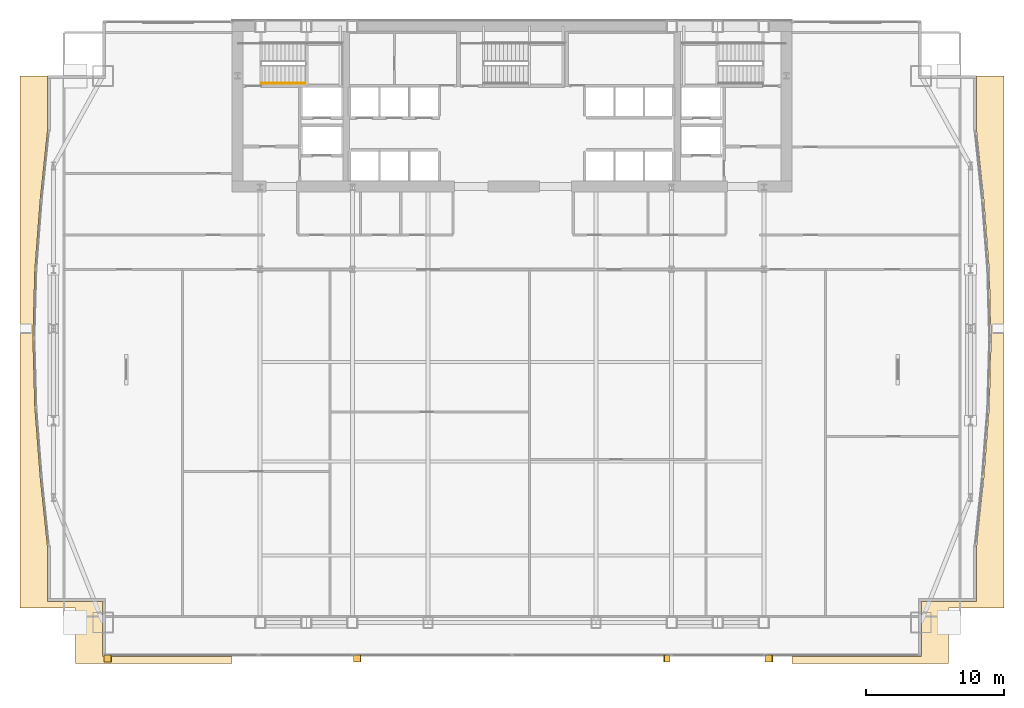
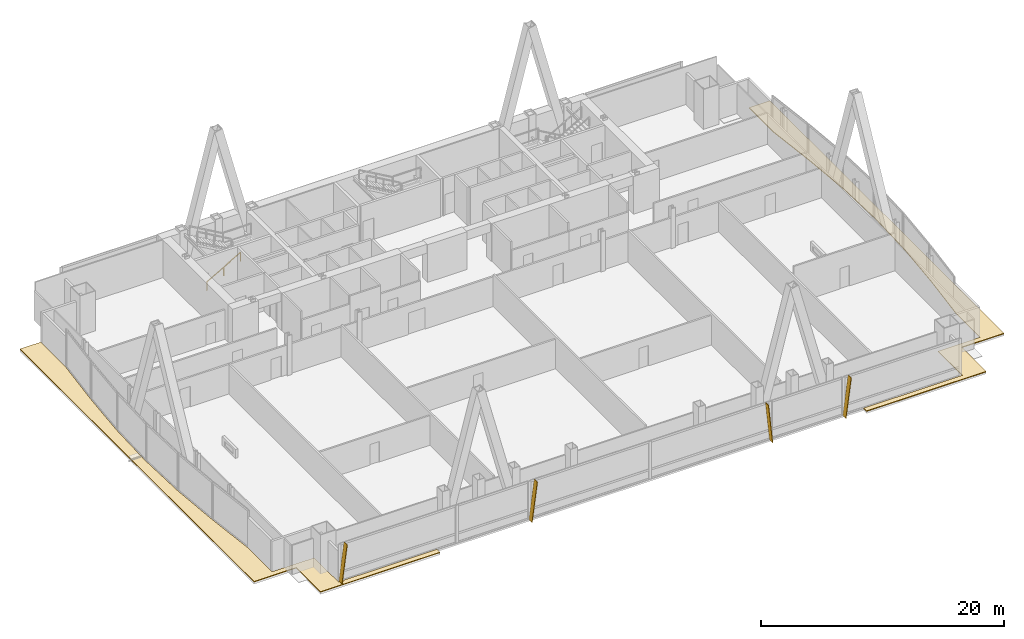
# One storey, part 31 of 32: 4 shading devices, 2 coverings, 1 railing.
"""IFC4 building model written with IfcOpenShell, lengths in metres."""

from ifc_helpers import new_model, si_unit, direction, frame, origin, origin_2d, place, context, subcontext, project, spatial, polyline, rectangle, outline, extrude, material, layer, layer_set, type_object, element, save


model = new_model("IFC4")

# Units and contexts
model_context = context("Model", 3, precision=1e-05, world=origin(), true_north=direction((0.0, 1.0)))
body_context = subcontext(model_context, "Body", "Model", "MODEL_VIEW")
ifc_project = project(units=[si_unit("LENGTHUNIT", "METRE"), si_unit("AREAUNIT", "SQUARE_METRE"), si_unit("VOLUMEUNIT", "CUBIC_METRE"), si_unit("PLANEANGLEUNIT", "RADIAN"), si_unit("MASSUNIT", "GRAM", prefix="KILO")], contexts=[model_context])

# Site, building, storey
site_placement = place(None, origin())
site = spatial("IfcSite", under=ifc_project, at=site_placement, CompositionType="ELEMENT")
building_placement = place(site_placement, origin())
building = spatial("IfcBuilding", under=site, at=building_placement, Name="Khoronbel Lancet Exchange", CompositionType="ELEMENT")
storey_placement = place(building_placement, frame((0.0, 0.0, 81.800048828125)))
storey = spatial("IfcBuildingStorey", under=building, at=storey_placement, Name="L19", CompositionType="ELEMENT", Elevation=81.800048828125)

# Coverings
ifc_material_1 = material(Name="Standing-Seam Bronze & SBS Waterproofing Assembly", Category="aluminium")
ifc_layer_1 = layer(ifc_material_1, 0.080078125, Name="Standing-Seam Bronze & SBS Waterproofing Assembly")
ifc_layer_set_1 = layer_set([ifc_layer_1], Name="Standing-Seam Bronze & SBS Waterproofing Assembly")
covering_type = type_object("IfcCoveringType", Name="COV-ROOF1", PredefinedType="ROOFING", material=ifc_layer_set_1)
covering_1_placement = place(storey_placement, origin())
element("IfcCovering", 1, at=covering_1_placement, inside=storey, type_object=covering_type, Name="Level L19 setback roof slab 1 insulated roofing assembly", PredefinedType="ROOFING", context=body_context, shape_type="SweptSolid", body=[
    extrude(outline(polyline([(4.85009765625, 7.199951171875), (4.85009765625, 11.199951171875), (0.85009765625, 11.199951171875), (0.85009765625, 15.199951171875), (0.85009765625, 45.699951171875), (0.85009765625, 49.699951171875), (2.830078125, 49.699951171875), (2.830078125, 45.700927734375), (2.30517578125, 40.7021484375), (2.30517578125, 40.701416015625), (1.9208984375, 35.701416015625), (1.920654296875, 35.70068359375), (1.780029296875, 30.70068359375), (1.780029296875, 30.699462890625), (1.920654296875, 25.699462890625), (1.9208984375, 25.698486328125), (2.30517578125, 20.698486328125), (2.30517578125, 20.697998046875), (2.830078125, 15.698974609375), (2.830078125, 11.699951171875), (2.830078125, 11.697998046875), (2.830322265625, 11.696044921875), (2.830810546875, 11.694091796875), (2.83154296875, 11.6923828125), (2.83251953125, 11.690673828125), (2.83349609375, 11.68896484375), (2.83447265625, 11.687255859375), (2.8359375, 11.685791015625), (2.83740234375, 11.6845703125), (2.8388671875, 11.683349609375), (2.840576171875, 11.682373046875), (2.84228515625, 11.681396484375), (2.84423828125, 11.680908203125), (2.84619140625, 11.680419921875), (2.847900390625, 11.68017578125), (2.85009765625, 11.679931640625), (6.830078125, 11.679931640625), (6.830078125, 7.699951171875), (6.830078125, 7.697998046875), (6.830322265625, 7.696044921875), (6.830810546875, 7.694091796875), (6.83154296875, 7.6923828125), (6.83251953125, 7.690673828125), (6.83349609375, 7.68896484375), (6.83447265625, 7.687255859375), (6.8359375, 7.685791015625), (6.83740234375, 7.6845703125), (6.8388671875, 7.683349609375), (6.840576171875, 7.682373046875), (6.84228515625, 7.681396484375), (6.84423828125, 7.680908203125), (6.84619140625, 7.680419921875), (6.847900390625, 7.68017578125), (6.85009765625, 7.679931640625), (16.199951171875, 7.679931640625), (16.199951171875, 7.199951171875), (4.85009765625, 7.199951171875)])), origin(), (0.0, 0.0, 1.0), 0.079833984375),
])
covering_2_placement = place(storey_placement, origin())
element("IfcCovering", 2, at=covering_2_placement, inside=storey, type_object=covering_type, Name="Level L19 setback roof slab 2 insulated roofing assembly", PredefinedType="ROOFING", context=body_context, shape_type="SweptSolid", body=[
    extrude(outline(polyline([(72.050048828125, 45.699951171875), (72.050048828125, 15.199951171875), (72.050048828125, 11.199951171875), (68.050048828125, 11.199951171875), (68.050048828125, 7.199951171875), (56.699951171875, 7.199951171875), (56.699951171875, 7.679931640625), (66.050048828125, 7.679931640625), (66.052001953125, 7.68017578125), (66.053955078125, 7.680419921875), (66.055908203125, 7.680908203125), (66.0576171875, 7.681396484375), (66.059326171875, 7.682373046875), (66.06103515625, 7.683349609375), (66.062744140625, 7.6845703125), (66.064208984375, 7.685791015625), (66.0654296875, 7.687255859375), (66.066650390625, 7.68896484375), (66.067626953125, 7.690673828125), (66.068603515625, 7.6923828125), (66.069091796875, 7.694091796875), (66.069580078125, 7.696044921875), (66.06982421875, 7.697998046875), (66.070068359375, 7.699951171875), (66.070068359375, 11.679931640625), (70.050048828125, 11.679931640625), (70.052001953125, 11.68017578125), (70.053955078125, 11.680419921875), (70.055908203125, 11.680908203125), (70.0576171875, 11.681396484375), (70.059326171875, 11.682373046875), (70.06103515625, 11.683349609375), (70.062744140625, 11.6845703125), (70.064208984375, 11.685791015625), (70.0654296875, 11.687255859375), (70.066650390625, 11.68896484375), (70.067626953125, 11.690673828125), (70.068603515625, 11.6923828125), (70.069091796875, 11.694091796875), (70.069580078125, 11.696044921875), (70.06982421875, 11.697998046875), (70.070068359375, 11.699951171875), (70.070068359375, 15.698974609375), (70.594970703125, 20.697998046875), (70.594970703125, 20.698486328125), (70.979248046875, 25.698486328125), (70.979248046875, 25.699462890625), (71.1201171875, 30.699462890625), (71.1201171875, 30.70068359375), (70.979248046875, 35.70068359375), (70.979248046875, 35.701416015625), (70.594970703125, 40.701416015625), (70.594970703125, 40.7021484375), (70.070068359375, 45.700927734375), (70.070068359375, 49.699951171875), (72.050048828125, 49.699951171875), (72.050048828125, 45.699951171875)])), origin(), (0.0, 0.0, 1.0), 0.079833984375),
])

# Railing
ifc_material_2 = material(Name="Brushed Stainless Steel 316", Category="steel")
railing_type = type_object("IfcRailingType", Name="RL-STH92", PredefinedType="HANDRAIL", material=ifc_material_2)
railing_placement = place(storey_placement, frame((18.300048828125, 49.169921875, 0.16650390625)))
element("IfcRailing", 3, at=railing_placement, inside=storey, type_object=railing_type, Name="L19 ST1 stair handrail 1", PredefinedType="HANDRAIL", context=body_context, shape_type="SweptSolid", body=[
    extrude(rectangle(XDim=0.048095703125, YDim=0.048095703125, at=origin_2d()), frame((0.0, 0.0, 0.8759765625), z_axis=(0.86699087805, 0.0, 0.498324008431), x_axis=(0.0, 1.0, 0.0)), (0.0, 0.0, 1.0), 3.679443359375),
    extrude(rectangle(XDim=0.0419921875, YDim=0.0419921875, at=origin_2d()), origin(), (0.0, 0.0, 1.0), 0.851806640625),
    extrude(rectangle(XDim=0.0419921875, YDim=0.0419921875, at=origin_2d()), frame((1.594970703125, 0.0, 0.916748046875)), (0.0, 0.0, 1.0), 0.851806640625),
    extrude(rectangle(XDim=0.0419921875, YDim=0.0419921875, at=origin_2d()), frame((3.18994140625, 0.0, 1.83349609375)), (0.0, 0.0, 1.0), 0.851806640625),
])

# Shading devices
ifc_material_3 = material(Name="Bronze-Anodised Aluminium 6063-T6", Category="aluminium")
ifc_layer_2 = layer(ifc_material_3, 0.054931640625, Name="Bronze-Anodised Aluminium 6063-T6")
ifc_layer_set_2 = layer_set([ifc_layer_2], Name="Bronze-Anodised Aluminium 6063-T6")
shading_device_type = type_object("IfcShadingDeviceType", Name="SHD-FIN1", PredefinedType="USERDEFINED", material=ifc_layer_set_2)
for number, where, z_axis, x_axis, name in (
    (4, (6.91259765625, 7.81005859375, -0.080078125), (-0.991724915681, 0.0, 0.128381040728), (0.0, -1.0, 0.0), "Slanted bronze solar fin CW-L19-SWV-0"),
    (5, (24.972412109375, 7.81005859375, -0.080078125), (-0.991717009945, 0.0, 0.128442096625), (0.0, -1.0, 0.0), "Slanted bronze solar fin CW-L19-SCV-0"),
):
    element("IfcShadingDevice", number, at=place(storey_placement, frame(where, z_axis=z_axis, x_axis=x_axis)), inside=storey, type_object=shading_device_type, Name=name, ObjectType="FIN", PredefinedType="USERDEFINED", context=body_context, shape_type="SweptSolid", body=[
        extrude(outline(polyline([(0.0, 0.0), (0.52001953125, 0.0), (0.52001953125, 3.9326171875), (0.0, 3.9326171875), (0.0, 0.0)])), origin(), (0.0, 0.0, -1.0), 0.054931640625),
    ])
shading_device_1_placement = place(storey_placement, frame((47.87255859375, 7.81005859375, -0.080078125), z_axis=(0.994909979026, 0.0, 0.100767721193), x_axis=(0.0, -1.0, 0.0)))
element("IfcShadingDevice", 6, at=shading_device_1_placement, inside=storey, type_object=shading_device_type, Name="Slanted bronze solar fin CW-L19-SCV-2", ObjectType="FIN", PredefinedType="USERDEFINED", context=body_context, shape_type="SweptSolid", body=[
    extrude(outline(polyline([(0.0, 0.0), (0.52001953125, 0.0), (0.52001953125, -3.920166015625), (0.0, -3.920166015625), (0.0, 0.0)])), origin(), (0.0, 0.0, -1.0), 0.054931640625),
])
shading_device_2_placement = place(storey_placement, frame((54.7724609375, 7.81005859375, -0.080078125), z_axis=(-0.991717009945, 0.0, 0.128442096625), x_axis=(0.0, -1.0, 0.0)))
element("IfcShadingDevice", 7, at=shading_device_2_placement, inside=storey, type_object=shading_device_type, Name="Slanted bronze solar fin CW-L19-SEV-0", ObjectType="FIN", PredefinedType="USERDEFINED", context=body_context, shape_type="SweptSolid", body=[
    extrude(outline(polyline([(0.0, 0.0), (0.52001953125, 0.0), (0.52001953125, 3.9326171875), (0.0, 3.9326171875), (0.0, 0.0)])), origin(), (0.0, 0.0, -1.0), 0.054931640625),
])

save(model, "model.ifc")
